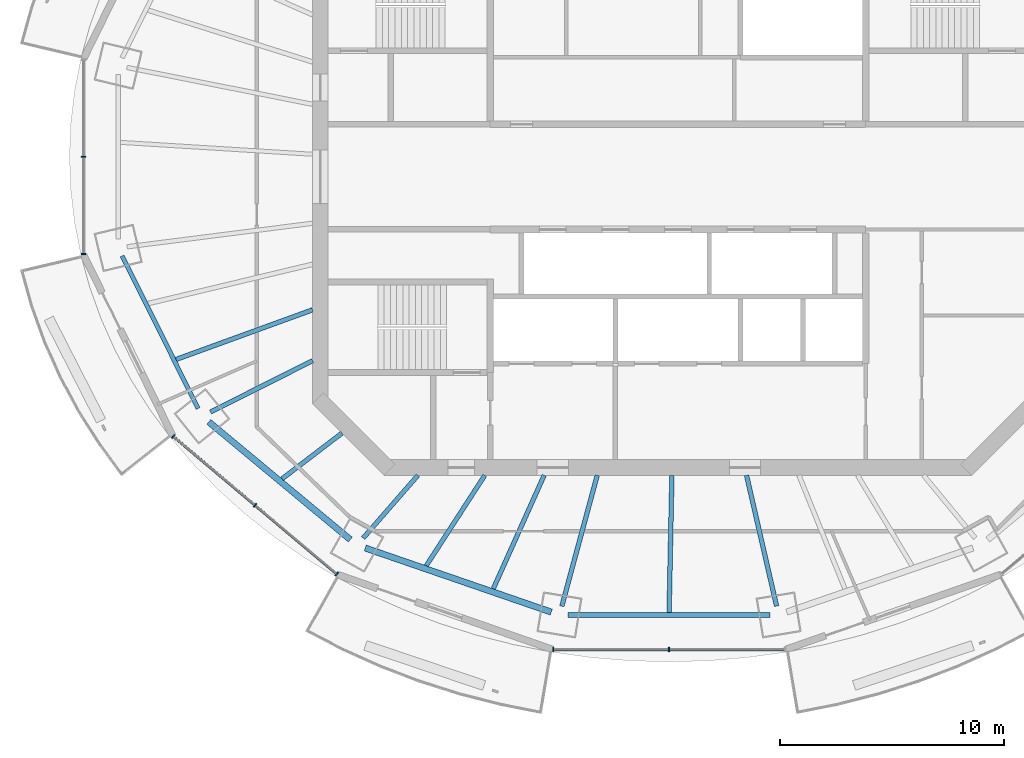
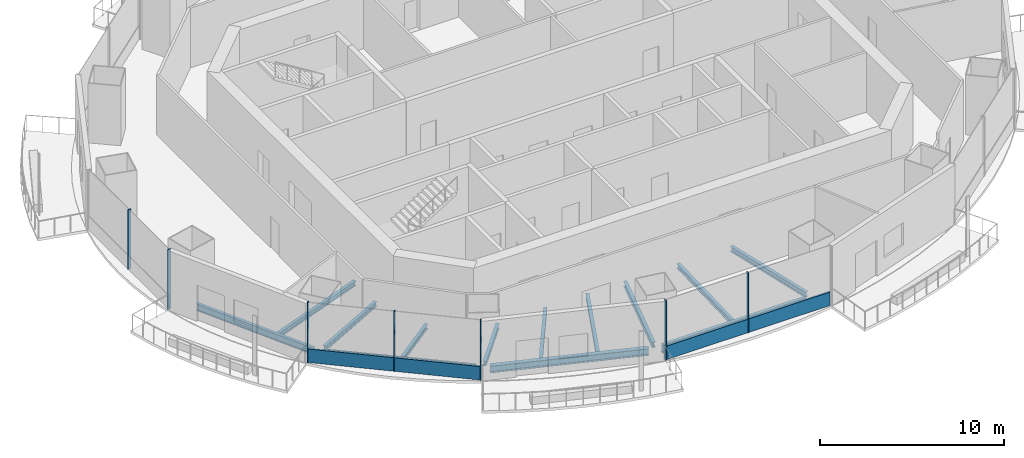
# One storey, part 2 of 16: 13 beams, 9 members, 3 elements without a shape of their own.
"""IFC4 building model written with IfcOpenShell, lengths in metres."""

from ifc_helpers import new_model, si_unit, direction, frame, origin, origin_2d, place, context, subcontext, project, spatial, rectangle, i_section, extrude, material, material_profile, profile_set, type_object, element, aggregate, save


model = new_model("IFC4")

# Units and contexts
model_context = context("Model", 3, precision=1e-05, world=origin(), true_north=direction((0.0, 1.0)))
body_context = subcontext(model_context, "Body", "Model", "MODEL_VIEW")
ifc_project = project(units=[si_unit("LENGTHUNIT", "METRE"), si_unit("AREAUNIT", "SQUARE_METRE"), si_unit("VOLUMEUNIT", "CUBIC_METRE"), si_unit("PLANEANGLEUNIT", "RADIAN"), si_unit("MASSUNIT", "GRAM", prefix="KILO")], contexts=[model_context])

# Site, building, storey
site_placement = place(None, origin())
site = spatial("IfcSite", under=ifc_project, at=site_placement, CompositionType="ELEMENT")
building_placement = place(site_placement, origin())
building = spatial("IfcBuilding", under=site, at=building_placement, Name="Marenthal Gate Tower", CompositionType="ELEMENT")
storey_placement = place(building_placement, frame((0.0, 0.0, 350.89990234375)))
storey = spatial("IfcBuildingStorey", under=building, at=storey_placement, Name="L79", CompositionType="ELEMENT", Elevation=350.89990234375)

# Curtain wall, members
ifc_material_1 = material(Name="Aluminium and glass", Category="aluminium")
curtain_wall_type = type_object("IfcCurtainWallType", Name="Curtain wall typical high", PredefinedType="NOTDEFINED", material=ifc_material_1)
curtain_wall_1_placement = place(storey_placement, origin())
curtain_wall_1 = element("IfcCurtainWall", 1, at=curtain_wall_1_placement, inside=storey, type_object=curtain_wall_type, Name="Curtain wall L79 bay 8", PredefinedType="NOTDEFINED")
ifc_material_2 = material(Name="Aluminium", Category="aluminium")
ifc_material_profile_1 = material_profile(ifc_material_2, rectangle(XDim=0.199951171875, YDim=0.06005859375, at=origin_2d()), Name="60x200 aluminium mullion")
ifc_profile_set_1 = profile_set([ifc_material_profile_1], Name="Aluminium")
member_type_1 = type_object("IfcMemberType", Name="Mullion 60x200 typical high", PredefinedType="MULLION", material=ifc_profile_set_1)
member_1_placement = place(storey_placement, frame((-26.59375, 0.89990234375, 0.0), z_axis=(0.0, 0.0, 1.0), x_axis=(1.0, 0.0, 0.0)))
member_1 = element("IfcMember", 2, at=member_1_placement, type_object=member_type_1, Name="Mullion L79 bay 8.2", PredefinedType="MULLION", context=body_context, shape_type="SweptSolid", body=[
    extrude(rectangle(XDim=0.199951171875, YDim=0.06005859375, at=origin_2d()), origin(), (0.0, 0.0, 1.0), 3.97021484375),
])
member_2_placement = place(storey_placement, frame((-26.59375, -3.454833984375, 0.0), z_axis=(0.0, 0.0, 1.0), x_axis=(1.0, 0.0, 0.0)))
member_2 = element("IfcMember", 3, at=member_2_placement, type_object=member_type_1, Name="Mullion L79 bay 8.3", PredefinedType="MULLION", context=body_context, shape_type="SweptSolid", body=[
    extrude(rectangle(XDim=0.199951171875, YDim=0.06005859375, at=origin_2d()), origin(), (0.0, 0.0, 1.0), 3.97021484375),
])
aggregate(curtain_wall_1, [member_1, member_2])

curtain_wall_2_placement = place(storey_placement, origin())
curtain_wall_2 = element("IfcCurtainWall", 4, at=curtain_wall_2_placement, inside=storey, type_object=curtain_wall_type, Name="Curtain wall L79 bay 10", PredefinedType="NOTDEFINED")
member_3_placement = place(storey_placement, frame((-22.583251953125, -11.606201171875, 0.0), z_axis=(0.0, 0.0, 1.0), x_axis=(0.643895579249, 0.765113379195, 0.0)))
member_3 = element("IfcMember", 5, at=member_3_placement, type_object=member_type_1, Name="Mullion L79 bay 10.1", PredefinedType="MULLION", context=body_context, shape_type="SweptSolid", body=[
    extrude(rectangle(XDim=0.199951171875, YDim=0.06005859375, at=origin_2d()), origin(), (0.0, 0.0, 1.0), 3.97021484375),
])
member_4_placement = place(storey_placement, frame((-18.921875, -14.6875, 0.0), z_axis=(0.0, 0.0, 1.0), x_axis=(0.643895579249, 0.765113379195, 0.0)))
member_4 = element("IfcMember", 6, at=member_4_placement, type_object=member_type_1, Name="Mullion L79 bay 10.2", PredefinedType="MULLION", context=body_context, shape_type="SweptSolid", body=[
    extrude(rectangle(XDim=0.199951171875, YDim=0.06005859375, at=origin_2d()), origin(), (0.0, 0.0, 1.0), 3.97021484375),
])
member_5_placement = place(storey_placement, frame((-15.260498046875, -17.768798828125, 0.0), z_axis=(0.0, 0.0, 1.0), x_axis=(0.643895579249, 0.765113379195, 0.0)))
member_5 = element("IfcMember", 7, at=member_5_placement, type_object=member_type_1, Name="Mullion L79 bay 10.3", PredefinedType="MULLION", context=body_context, shape_type="SweptSolid", body=[
    extrude(rectangle(XDim=0.199951171875, YDim=0.06005859375, at=origin_2d()), origin(), (0.0, 0.0, 1.0), 3.97021484375),
])

curtain_wall_3_placement = place(storey_placement, origin())
curtain_wall_3 = element("IfcCurtainWall", 8, at=curtain_wall_3_placement, inside=storey, type_object=curtain_wall_type, Name="Curtain wall L79 bay 12", PredefinedType="NOTDEFINED")
member_6_placement = place(storey_placement, frame((-5.580322265625, -21.14404296875, 0.0), z_axis=(0.0, 0.0, 1.0), x_axis=(0.0, 1.0, 0.0)))
member_6 = element("IfcMember", 9, at=member_6_placement, type_object=member_type_1, Name="Mullion L79 bay 12.1", PredefinedType="MULLION", context=body_context, shape_type="SweptSolid", body=[
    extrude(rectangle(XDim=0.199951171875, YDim=0.06005859375, at=origin_2d()), origin(), (0.0, 0.0, 1.0), 3.97021484375),
])
member_7_placement = place(storey_placement, frame((-0.39990234375, -21.14404296875, 0.0), z_axis=(0.0, 0.0, 1.0), x_axis=(0.0, 1.0, 0.0)))
member_7 = element("IfcMember", 10, at=member_7_placement, type_object=member_type_1, Name="Mullion L79 bay 12.2", PredefinedType="MULLION", context=body_context, shape_type="SweptSolid", body=[
    extrude(rectangle(XDim=0.199951171875, YDim=0.06005859375, at=origin_2d()), origin(), (0.0, 0.0, 1.0), 3.97021484375),
])

# Member
ifc_material_3 = material(Name="Aluminium", Category="aluminium")
ifc_material_profile_2 = material_profile(ifc_material_3, rectangle(XDim=0.1201171875, YDim=0.89990234375, at=origin_2d()), Name="120x900 aluminium transom")
ifc_profile_set_2 = profile_set([ifc_material_profile_2], Name="Aluminium")
member_type_2 = type_object("IfcMemberType", Name="Transom 120x900 typical high", PredefinedType="USERDEFINED", material=ifc_profile_set_2)
member_8_placement = place(storey_placement, frame((-22.560302734375, -11.625732421875, 0.4501953125), z_axis=(0.765123507082, -0.643883544526, 0.0), x_axis=(0.643883544526, 0.765123507082, 0.0)))
member_8 = element("IfcMember", 11, at=member_8_placement, type_object=member_type_2, Name="Transom L79 bay 10", ObjectType="TRANSOM", PredefinedType="USERDEFINED", context=body_context, shape_type="SweptSolid", body=[
    extrude(rectangle(XDim=0.1201171875, YDim=0.89990234375, at=origin_2d()), origin(), (0.0, 0.0, 1.0), 9.5107421875),
])

aggregate(curtain_wall_2, [member_3, member_4, member_5, member_8])

member_9_placement = place(storey_placement, frame((-5.55029296875, -21.14404296875, 0.4501953125), z_axis=(1.0, 0.0, 0.0), x_axis=(0.0, 1.0, 0.0)))
member_9 = element("IfcMember", 12, at=member_9_placement, type_object=member_type_2, Name="Transom L79 bay 12", ObjectType="TRANSOM", PredefinedType="USERDEFINED", context=body_context, shape_type="SweptSolid", body=[
    extrude(rectangle(XDim=0.1201171875, YDim=0.89990234375, at=origin_2d()), origin(), (0.0, 0.0, 1.0), 10.300537109375),
])

aggregate(curtain_wall_3, [member_6, member_7, member_9])

# Beams
ifc_material_4 = material(Name="Steel S355", Category="steel")
ifc_material_profile_3 = material_profile(ifc_material_4, i_section(OverallWidth=0.202880859375, OverallDepth=0.302001953125, WebThickness=0.007568359375, FlangeThickness=0.01318359375, FilletRadius=0.0126953125, at=origin_2d()), Name="W310X60")
ifc_profile_set_3 = profile_set([ifc_material_profile_3], Name="Steel S355")
beam_type_1 = type_object("IfcBeamType", Name="W310X60 beam", PredefinedType="BEAM", material=ifc_profile_set_3)
beam_1_placement = place(storey_placement, frame((-17.712158203125, -13.5048828125, -0.330810546875), z_axis=(0.79522706863, 0.606311726192, 0.0), x_axis=(-0.606311726192, 0.79522706863, 0.0)))
element("IfcBeam", 13, at=beam_1_placement, inside=storey, type_object=beam_type_1, Name="BM-L79-31", PredefinedType="BEAM", context=body_context, shape_type="SweptSolid", body=[
    extrude(i_section(OverallWidth=0.202880859375, OverallDepth=0.302001953125, WebThickness=0.007568359375, FlangeThickness=0.01318359375, FilletRadius=0.0126953125, at=origin_2d()), origin(), (0.0, 0.0, 1.0), 3.369140625),
])
beam_2_placement = place(storey_placement, frame((-11.262451171875, -17.393798828125, -0.330810546875), z_axis=(0.543528621465, 0.839390634716, 0.0), x_axis=(-0.839390634716, 0.543528621465, 0.0)))
element("IfcBeam", 14, at=beam_2_placement, inside=storey, type_object=beam_type_1, Name="BM-L79-32", PredefinedType="BEAM", context=body_context, shape_type="SweptSolid", body=[
    extrude(i_section(OverallWidth=0.202880859375, OverallDepth=0.302001953125, WebThickness=0.007568359375, FlangeThickness=0.01318359375, FilletRadius=0.0126953125, at=origin_2d()), origin(), (0.0, 0.0, 1.0), 4.8173828125),
])
beam_3_placement = place(storey_placement, frame((-8.263916015625, -18.4267578125, -0.330810546875), z_axis=(0.40918567328, 0.912451141038, 0.0), x_axis=(-0.912451141038, 0.40918567328, 0.0)))
element("IfcBeam", 15, at=beam_3_placement, inside=storey, type_object=beam_type_1, Name="BM-L79-33", PredefinedType="BEAM", context=body_context, shape_type="SweptSolid", body=[
    extrude(i_section(OverallWidth=0.202880859375, OverallDepth=0.302001953125, WebThickness=0.007568359375, FlangeThickness=0.01318359375, FilletRadius=0.0126953125, at=origin_2d()), origin(), (0.0, 0.0, 1.0), 5.563720703125),
])
ifc_material_5 = material(Name="Steel S355", Category="steel")
ifc_material_profile_4 = material_profile(ifc_material_5, i_section(OverallWidth=0.205078125, OverallDepth=0.31005859375, WebThickness=0.009521484375, FlangeThickness=0.016357421875, FilletRadius=0.0126953125, at=origin_2d()), Name="W310X74")
ifc_profile_set_4 = profile_set([ifc_material_profile_4], Name="Steel S355")
beam_type_2 = type_object("IfcBeamType", Name="W310X74 beam", PredefinedType="BEAM", material=ifc_profile_set_4)
beam_4_placement = place(storey_placement, frame((-20.916748046875, -10.520263671875, -0.3349609375), z_axis=(0.893364389056, 0.449332914848, 0.0), x_axis=(-0.449332914848, 0.893364389056, 0.0)))
element("IfcBeam", 16, at=beam_4_placement, inside=storey, type_object=beam_type_2, Name="BM-L79-10", PredefinedType="BEAM", context=body_context, shape_type="SweptSolid", body=[
    extrude(i_section(OverallWidth=0.205078125, OverallDepth=0.31005859375, WebThickness=0.009521484375, FlangeThickness=0.016357421875, FilletRadius=0.0126953125, at=origin_2d()), origin(), (0.0, 0.0, 1.0), 5.11181640625),
])
beam_5_placement = place(storey_placement, frame((-14.083740234375, -16.15771484375, -0.3349609375), z_axis=(0.657074080223, 0.753826009832, 0.0), x_axis=(-0.753826009832, 0.657074080223, 0.0)))
element("IfcBeam", 17, at=beam_5_placement, inside=storey, type_object=beam_type_2, Name="BM-L79-11", PredefinedType="BEAM", context=body_context, shape_type="SweptSolid", body=[
    extrude(i_section(OverallWidth=0.205078125, OverallDepth=0.31005859375, WebThickness=0.009521484375, FlangeThickness=0.016357421875, FilletRadius=0.0126953125, at=origin_2d()), origin(), (0.0, 0.0, 1.0), 3.724609375),
])
beam_6_placement = place(storey_placement, frame((-22.45263671875, -8.16552734375, -0.3349609375), z_axis=(0.9397747608, 0.341794381118, 0.0), x_axis=(-0.341794381118, 0.9397747608, 0.0)))
element("IfcBeam", 18, at=beam_6_placement, inside=storey, type_object=beam_type_2, Name="BM-L79-30", PredefinedType="BEAM", context=body_context, shape_type="SweptSolid", body=[
    extrude(i_section(OverallWidth=0.205078125, OverallDepth=0.31005859375, WebThickness=0.009521484375, FlangeThickness=0.016357421875, FilletRadius=0.0126953125, at=origin_2d()), origin(), (0.0, 0.0, 1.0), 6.49365234375),
])
beam_7_placement = place(storey_placement, frame((-0.397705078125, -19.488525390625, -0.3349609375), z_axis=(0.020399047601, 0.999791917779, 0.0), x_axis=(-0.999791917779, 0.020399047601, 0.0)))
element("IfcBeam", 19, at=beam_7_placement, inside=storey, type_object=beam_type_2, Name="BM-L79-34", PredefinedType="BEAM", context=body_context, shape_type="SweptSolid", body=[
    extrude(i_section(OverallWidth=0.205078125, OverallDepth=0.31005859375, WebThickness=0.009521484375, FlangeThickness=0.016357421875, FilletRadius=0.0126953125, at=origin_2d()), origin(), (0.0, 0.0, 1.0), 6.1396484375),
])
ifc_material_6 = material(Name="Steel S355", Category="steel")
ifc_material_profile_5 = material_profile(ifc_material_6, i_section(OverallWidth=0.205078125, OverallDepth=0.35302734375, WebThickness=0.009521484375, FlangeThickness=0.016845703125, FilletRadius=0.014892578125, at=origin_2d()), Name="W360X79")
ifc_profile_set_5 = profile_set([ifc_material_profile_5], Name="Steel S355")
beam_type_3 = type_object("IfcBeamType", Name="W360X79 beam", PredefinedType="BEAM", material=ifc_profile_set_5)
beam_8_placement = place(storey_placement, frame((-5.1962890625, -19.2041015625, -0.3564453125), z_axis=(0.261188869027, 0.965287716019, 0.0), x_axis=(-0.965287716019, 0.261188869027, 0.0)))
element("IfcBeam", 20, at=beam_8_placement, inside=storey, type_object=beam_type_3, Name="BM-L79-12", PredefinedType="BEAM", context=body_context, shape_type="SweptSolid", body=[
    extrude(i_section(OverallWidth=0.205078125, OverallDepth=0.35302734375, WebThickness=0.009521484375, FlangeThickness=0.016845703125, FilletRadius=0.014892578125, at=origin_2d()), origin(), (0.0, 0.0, 1.0), 6.064453125),
])
beam_9_placement = place(storey_placement, frame((4.412109375, -19.202880859375, -0.3564453125), z_axis=(-0.223924124815, 0.97460658028, 0.0), x_axis=(-0.97460658028, -0.223924124815, 0.0)))
element("IfcBeam", 21, at=beam_9_placement, inside=storey, type_object=beam_type_3, Name="BM-L79-13", PredefinedType="BEAM", context=body_context, shape_type="SweptSolid", body=[
    extrude(i_section(OverallWidth=0.205078125, OverallDepth=0.35302734375, WebThickness=0.009521484375, FlangeThickness=0.016845703125, FilletRadius=0.014892578125, at=origin_2d()), origin(), (0.0, 0.0, 1.0), 6.00537109375),
])
ifc_material_7 = material(Name="Steel S355", Category="steel")
ifc_material_profile_6 = material_profile(ifc_material_7, i_section(OverallWidth=0.279052734375, OverallDepth=0.4619140625, WebThickness=0.0107421875, FlangeThickness=0.017333984375, FilletRadius=0.010009765625, at=origin_2d()), Name="W460X113")
ifc_profile_set_6 = profile_set([ifc_material_profile_6], Name="Steel S355")
beam_type_4 = type_object("IfcBeamType", Name="W460X113 beam", PredefinedType="BEAM", material=ifc_profile_set_6)
beam_10_placement = place(storey_placement, frame((-20.990234375, -10.96044921875, -0.410888671875), z_axis=(0.768884423739, -0.639387787599, 0.0), x_axis=(0.639387787599, 0.768884423739, 0.0)))
element("IfcBeam", 22, at=beam_10_placement, inside=storey, type_object=beam_type_4, Name="BM-L79-49", PredefinedType="BEAM", context=body_context, shape_type="SweptSolid", body=[
    extrude(i_section(OverallWidth=0.279052734375, OverallDepth=0.4619140625, WebThickness=0.0107421875, FlangeThickness=0.017333984375, FilletRadius=0.010009765625, at=origin_2d()), origin(), (0.0, 0.0, 1.0), 8.233154296875),
])
beam_11_placement = place(storey_placement, frame((-13.9921875, -16.60107421875, -0.410888671875), z_axis=(0.945480202409, -0.325679576966, 0.0), x_axis=(0.325679576966, 0.945480202409, 0.0)))
element("IfcBeam", 23, at=beam_11_placement, inside=storey, type_object=beam_type_4, Name="BM-L79-50", PredefinedType="BEAM", context=body_context, shape_type="SweptSolid", body=[
    extrude(i_section(OverallWidth=0.279052734375, OverallDepth=0.4619140625, WebThickness=0.0107421875, FlangeThickness=0.017333984375, FilletRadius=0.010009765625, at=origin_2d()), origin(), (0.0, 0.0, 1.0), 8.8037109375),
])
ifc_material_8 = material(Name="Steel S355", Category="steel")
ifc_material_profile_7 = material_profile(ifc_material_8, i_section(OverallWidth=0.19091796875, OverallDepth=0.45703125, WebThickness=0.009033203125, FlangeThickness=0.014404296875, FilletRadius=0.01025390625, at=origin_2d()), Name="W460X74")
ifc_profile_set_7 = profile_set([ifc_material_profile_7], Name="Steel S355")
beam_type_5 = type_object("IfcBeamType", Name="W460X74 beam", PredefinedType="BEAM", material=ifc_profile_set_7)
beam_12_placement = place(storey_placement, frame((-24.86669921875, -3.532958984375, -0.408447265625), z_axis=(0.445842036963, -0.895111656765, 0.0), x_axis=(0.895111656765, 0.445842036963, 0.0)))
element("IfcBeam", 24, at=beam_12_placement, inside=storey, type_object=beam_type_5, Name="BM-L79-48", PredefinedType="BEAM", context=body_context, shape_type="SweptSolid", body=[
    extrude(i_section(OverallWidth=0.19091796875, OverallDepth=0.45703125, WebThickness=0.009033203125, FlangeThickness=0.014404296875, FilletRadius=0.01025390625, at=origin_2d()), origin(), (0.0, 0.0, 1.0), 7.621337890625),
])
ifc_material_9 = material(Name="Steel S355", Category="steel")
ifc_material_profile_8 = material_profile(ifc_material_9, i_section(OverallWidth=0.2119140625, OverallDepth=0.5439453125, WebThickness=0.01318359375, FlangeThickness=0.021240234375, FilletRadius=0.0126953125, at=origin_2d()), Name="W530X123")
ifc_profile_set_8 = profile_set([ifc_material_profile_8], Name="Steel S355")
beam_type_6 = type_object("IfcBeamType", Name="W530X123 beam", PredefinedType="BEAM", material=ifc_profile_set_8)
beam_13_placement = place(storey_placement, frame((-4.9150390625, -19.594482421875, -0.451904296875), z_axis=(1.0, 0.0, 0.0), x_axis=(0.0, 1.0, 0.0)))
element("IfcBeam", 25, at=beam_13_placement, inside=storey, type_object=beam_type_6, Name="BM-L79-51", PredefinedType="BEAM", context=body_context, shape_type="SweptSolid", body=[
    extrude(i_section(OverallWidth=0.2119140625, OverallDepth=0.5439453125, WebThickness=0.01318359375, FlangeThickness=0.021240234375, FilletRadius=0.0126953125, at=origin_2d()), origin(), (0.0, 0.0, 1.0), 9.030029296875),
])

save(model, "model.ifc")
